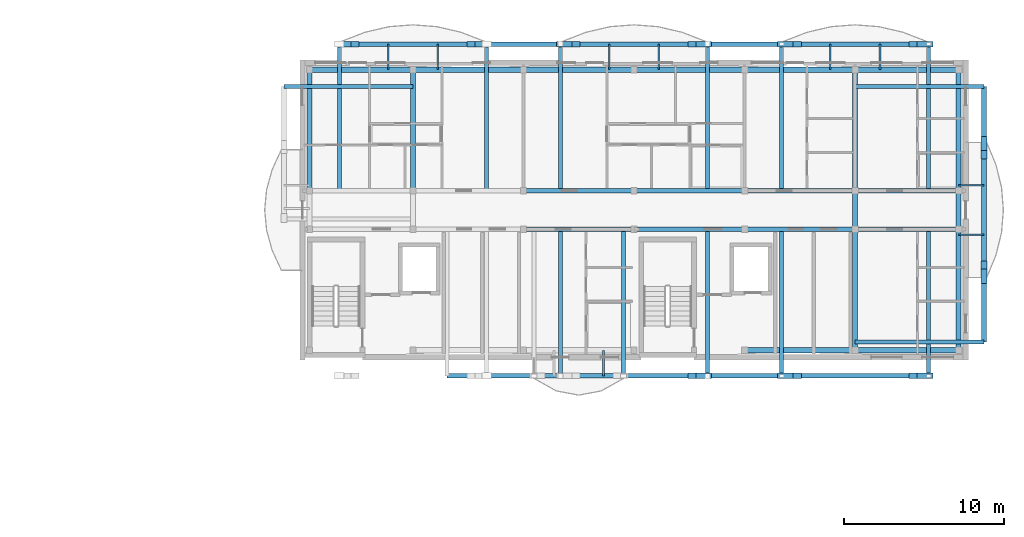
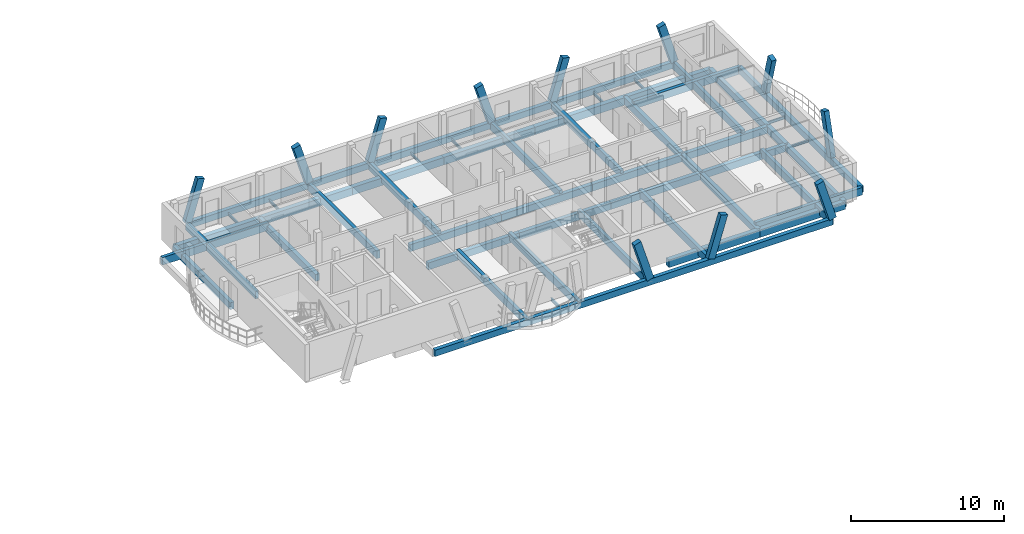
# One storey, part 7 of 41: 50 beams, 11 members.
"""IFC4 building model written with IfcOpenShell, lengths in metres."""

from ifc_helpers import new_model, si_unit, direction, frame, origin, origin_2d, place, context, subcontext, project, spatial, rectangle, i_section, extrude, material, material_profile, profile_set, type_object, element, save


model = new_model("IFC4")

# Units and contexts
model_context = context("Model", 3, precision=1e-05, world=origin(), true_north=direction((0.0, 1.0)))
body_context = subcontext(model_context, "Body", "Model", "MODEL_VIEW")
ifc_project = project(units=[si_unit("LENGTHUNIT", "METRE"), si_unit("AREAUNIT", "SQUARE_METRE"), si_unit("VOLUMEUNIT", "CUBIC_METRE"), si_unit("PLANEANGLEUNIT", "RADIAN"), si_unit("MASSUNIT", "GRAM", prefix="KILO")], contexts=[model_context])

# Site, building, storey
site_placement = place(None, origin())
site = spatial("IfcSite", under=ifc_project, at=site_placement, CompositionType="ELEMENT")
building_placement = place(site_placement, origin())
building = spatial("IfcBuilding", under=site, at=building_placement, Name="Zavelmont Quarter", CompositionType="ELEMENT")
storey_placement = place(building_placement, frame((0.0, 0.0, 27.199951171875)))
storey = spatial("IfcBuildingStorey", under=building, at=storey_placement, Name="L08", CompositionType="ELEMENT", Elevation=27.199951171875)

# Beams
ifc_material_1 = material(Name="Concrete C35/45", Category="concrete")
ifc_material_profile_1 = material_profile(ifc_material_1, rectangle(XDim=0.35009765625, YDim=0.60009765625, at=origin_2d()), Name="RC350X600")
ifc_profile_set_1 = profile_set([ifc_material_profile_1], Name="Concrete C35/45")
beam_type_1 = type_object("IfcBeamType", Name="BM01", PredefinedType="SPANDREL", material=ifc_profile_set_1)
beam_1_placement = place(storey_placement, frame((154.199951171875, 98.0400390625, -0.550048828125), z_axis=(1.0, 0.0, 0.0), x_axis=(0.0, 1.0, 0.0)))
element("IfcBeam", 1, at=beam_1_placement, inside=storey, type_object=beam_type_1, Name="L08 beam BM01 23/P to 24/P", PredefinedType="SPANDREL", context=body_context, shape_type="SweptSolid", body=[
    extrude(rectangle(XDim=0.35009765625, YDim=0.60009765625, at=origin_2d()), origin(), (0.0, 0.0, 1.0), 6.900146484375),
])
for number, where, z_axis, x_axis, name in (
    (2, (161.10009765625, 98.0400390625, -0.550048828125), (1.0, 0.0, 0.0), (0.0, 1.0, 0.0), "L08 beam BM01 24/P to 25/P"),
    (3, (127.0400390625, 115.56005859375, -0.550048828125), (1.0, 0.0, 0.0), (0.0, 1.0, 0.0), "L08 beam BM01 19/S to 20/S"),
):
    element("IfcBeam", number, at=place(storey_placement, frame(where, z_axis=z_axis, x_axis=x_axis)), inside=storey, type_object=beam_type_1, Name=name, PredefinedType="SPANDREL", context=body_context, shape_type="SweptSolid", body=[
        extrude(rectangle(XDim=0.35009765625, YDim=0.60009765625, at=origin_2d()), origin(), (0.0, 0.0, 1.0), 6.4599609375),
    ])
beam_2_placement = place(storey_placement, frame((133.5, 115.56005859375, -0.550048828125), z_axis=(1.0, 0.0, 0.0), x_axis=(0.0, 1.0, 0.0)))
element("IfcBeam", 4, at=beam_2_placement, inside=storey, type_object=beam_type_1, Name="L08 beam BM01 20/S to 21/S", PredefinedType="SPANDREL", context=body_context, shape_type="SweptSolid", body=[
    extrude(rectangle(XDim=0.35009765625, YDim=0.60009765625, at=origin_2d()), origin(), (0.0, 0.0, 1.0), 6.89990234375),
])
beam_3_placement = place(storey_placement, frame((140.39990234375, 115.56005859375, -0.550048828125), z_axis=(1.0, 0.0, 0.0), x_axis=(0.0, 1.0, 0.0)))
element("IfcBeam", 5, at=beam_3_placement, inside=storey, type_object=beam_type_1, Name="L08 beam BM01 21/S to 22/S", PredefinedType="SPANDREL", context=body_context, shape_type="SweptSolid", body=[
    extrude(rectangle(XDim=0.35009765625, YDim=0.60009765625, at=origin_2d()), origin(), (0.0, 0.0, 1.0), 6.900146484375),
])
beam_4_placement = place(storey_placement, frame((147.300048828125, 115.56005859375, -0.550048828125), z_axis=(1.0, 0.0, 0.0), x_axis=(0.0, 1.0, 0.0)))
element("IfcBeam", 6, at=beam_4_placement, inside=storey, type_object=beam_type_1, Name="L08 beam BM01 22/S to 23/S", PredefinedType="SPANDREL", context=body_context, shape_type="SweptSolid", body=[
    extrude(rectangle(XDim=0.35009765625, YDim=0.60009765625, at=origin_2d()), origin(), (0.0, 0.0, 1.0), 6.89990234375),
])
beam_5_placement = place(storey_placement, frame((154.199951171875, 115.56005859375, -0.550048828125), z_axis=(1.0, 0.0, 0.0), x_axis=(0.0, 1.0, 0.0)))
element("IfcBeam", 7, at=beam_5_placement, inside=storey, type_object=beam_type_1, Name="L08 beam BM01 23/S to 24/S", PredefinedType="SPANDREL", context=body_context, shape_type="SweptSolid", body=[
    extrude(rectangle(XDim=0.35009765625, YDim=0.60009765625, at=origin_2d()), origin(), (0.0, 0.0, 1.0), 6.900146484375),
])
beam_6_placement = place(storey_placement, frame((161.10009765625, 115.56005859375, -0.550048828125), z_axis=(1.0, 0.0, 0.0), x_axis=(0.0, 1.0, 0.0)))
element("IfcBeam", 8, at=beam_6_placement, inside=storey, type_object=beam_type_1, Name="L08 beam BM01 24/S to 25/S", PredefinedType="SPANDREL", context=body_context, shape_type="SweptSolid", body=[
    extrude(rectangle(XDim=0.35009765625, YDim=0.60009765625, at=origin_2d()), origin(), (0.0, 0.0, 1.0), 6.4599609375),
])
ifc_material_profile_2 = material_profile(ifc_material_1, rectangle(XDim=0.300048828125, YDim=0.550048828125, at=origin_2d()), Name="RC300X550")
ifc_profile_set_2 = profile_set([ifc_material_profile_2], Name="Concrete C35/45")
beam_type_2 = type_object("IfcBeamType", Name="BM02", PredefinedType="SPANDREL", material=ifc_profile_set_2)
beam_7_placement = place(storey_placement, frame((140.39990234375, 105.60009765625, -0.52490234375), z_axis=(1.0, 0.0, 0.0), x_axis=(0.0, 1.0, 0.0)))
element("IfcBeam", 9, at=beam_7_placement, inside=storey, type_object=beam_type_2, Name="L08 beam BM02 21/Q to 22/Q", PredefinedType="SPANDREL", context=body_context, shape_type="SweptSolid", body=[
    extrude(rectangle(XDim=0.300048828125, YDim=0.550048828125, at=origin_2d()), origin(), (0.0, 0.0, 1.0), 6.900146484375),
])
beam_8_placement = place(storey_placement, frame((147.300048828125, 105.60009765625, -0.52490234375), z_axis=(1.0, 0.0, 0.0), x_axis=(0.0, 1.0, 0.0)))
element("IfcBeam", 10, at=beam_8_placement, inside=storey, type_object=beam_type_2, Name="L08 beam BM02 22/Q to 23/Q", PredefinedType="SPANDREL", context=body_context, shape_type="SweptSolid", body=[
    extrude(rectangle(XDim=0.300048828125, YDim=0.550048828125, at=origin_2d()), origin(), (0.0, 0.0, 1.0), 6.89990234375),
])
beam_9_placement = place(storey_placement, frame((154.199951171875, 105.60009765625, -0.52490234375), z_axis=(1.0, 0.0, 0.0), x_axis=(0.0, 1.0, 0.0)))
element("IfcBeam", 11, at=beam_9_placement, inside=storey, type_object=beam_type_2, Name="L08 beam BM02 23/Q to 24/Q", PredefinedType="SPANDREL", context=body_context, shape_type="SweptSolid", body=[
    extrude(rectangle(XDim=0.300048828125, YDim=0.550048828125, at=origin_2d()), origin(), (0.0, 0.0, 1.0), 6.900146484375),
])
beam_10_placement = place(storey_placement, frame((161.10009765625, 105.60009765625, -0.52490234375), z_axis=(1.0, 0.0, 0.0), x_axis=(0.0, 1.0, 0.0)))
element("IfcBeam", 12, at=beam_10_placement, inside=storey, type_object=beam_type_2, Name="L08 beam BM02 24/Q to 25/Q", PredefinedType="SPANDREL", context=body_context, shape_type="SweptSolid", body=[
    extrude(rectangle(XDim=0.300048828125, YDim=0.550048828125, at=origin_2d()), origin(), (0.0, 0.0, 1.0), 6.4599609375),
])
beam_11_placement = place(storey_placement, frame((140.39990234375, 108.0, -0.52490234375), z_axis=(1.0, 0.0, 0.0), x_axis=(0.0, 1.0, 0.0)))
element("IfcBeam", 13, at=beam_11_placement, inside=storey, type_object=beam_type_2, Name="L08 beam BM02 21/R to 22/R", PredefinedType="SPANDREL", context=body_context, shape_type="SweptSolid", body=[
    extrude(rectangle(XDim=0.300048828125, YDim=0.550048828125, at=origin_2d()), origin(), (0.0, 0.0, 1.0), 6.900146484375),
])
beam_12_placement = place(storey_placement, frame((147.300048828125, 108.0, -0.52490234375), z_axis=(1.0, 0.0, 0.0), x_axis=(0.0, 1.0, 0.0)))
element("IfcBeam", 14, at=beam_12_placement, inside=storey, type_object=beam_type_2, Name="L08 beam BM02 22/R to 23/R", PredefinedType="SPANDREL", context=body_context, shape_type="SweptSolid", body=[
    extrude(rectangle(XDim=0.300048828125, YDim=0.550048828125, at=origin_2d()), origin(), (0.0, 0.0, 1.0), 6.89990234375),
])
beam_13_placement = place(storey_placement, frame((154.199951171875, 108.0, -0.52490234375), z_axis=(1.0, 0.0, 0.0), x_axis=(0.0, 1.0, 0.0)))
element("IfcBeam", 15, at=beam_13_placement, inside=storey, type_object=beam_type_2, Name="L08 beam BM02 23/R to 24/R", PredefinedType="SPANDREL", context=body_context, shape_type="SweptSolid", body=[
    extrude(rectangle(XDim=0.300048828125, YDim=0.550048828125, at=origin_2d()), origin(), (0.0, 0.0, 1.0), 6.900146484375),
])
beam_14_placement = place(storey_placement, frame((161.10009765625, 108.0, -0.52490234375), z_axis=(1.0, 0.0, 0.0), x_axis=(0.0, 1.0, 0.0)))
element("IfcBeam", 16, at=beam_14_placement, inside=storey, type_object=beam_type_2, Name="L08 beam BM02 24/R to 25/R", PredefinedType="SPANDREL", context=body_context, shape_type="SweptSolid", body=[
    extrude(rectangle(XDim=0.300048828125, YDim=0.550048828125, at=origin_2d()), origin(), (0.0, 0.0, 1.0), 6.4599609375),
])
for number, where, z_axis, x_axis, name in (
    (17, (127.0400390625, 108.0, -0.52490234375), (0.0, 1.0, 0.0), (-1.0, 0.0, 0.0), "L08 beam BM02 19/R to 19/S"),
    (18, (133.5, 108.0, -0.52490234375), (0.0, 1.0, 0.0), (-1.0, 0.0, 0.0), "L08 beam BM02 20/R to 20/S"),
    (19, (161.10009765625, 98.0400390625, -0.52490234375), (0.0, 1.0, 0.0), (-1.0, 0.0, 0.0), "L08 beam BM02 24/P to 24/Q"),
):
    element("IfcBeam", number, at=place(storey_placement, frame(where, z_axis=z_axis, x_axis=x_axis)), inside=storey, type_object=beam_type_2, Name=name, PredefinedType="SPANDREL", context=body_context, shape_type="SweptSolid", body=[
        extrude(rectangle(XDim=0.300048828125, YDim=0.550048828125, at=origin_2d()), origin(), (0.0, 0.0, 1.0), 7.56005859375),
    ])
beam_15_placement = place(storey_placement, frame((161.10009765625, 105.60009765625, -0.52490234375), z_axis=(0.0, 1.0, 0.0), x_axis=(-1.0, 0.0, 0.0)))
element("IfcBeam", 20, at=beam_15_placement, inside=storey, type_object=beam_type_2, Name="L08 beam BM02 24/Q to 24/R", PredefinedType="SPANDREL", context=body_context, shape_type="SweptSolid", body=[
    extrude(rectangle(XDim=0.300048828125, YDim=0.550048828125, at=origin_2d()), origin(), (0.0, 0.0, 1.0), 2.39990234375),
])
for number, where, z_axis, x_axis, name in (
    (21, (161.10009765625, 108.0, -0.52490234375), (0.0, 1.0, 0.0), (-1.0, 0.0, 0.0), "L08 beam BM02 24/R to 24/S"),
    (22, (167.56005859375, 98.0400390625, -0.52490234375), (0.0, 1.0, 0.0), (-1.0, 0.0, 0.0), "L08 beam BM02 25/P to 25/Q"),
):
    element("IfcBeam", number, at=place(storey_placement, frame(where, z_axis=z_axis, x_axis=x_axis)), inside=storey, type_object=beam_type_2, Name=name, PredefinedType="SPANDREL", context=body_context, shape_type="SweptSolid", body=[
        extrude(rectangle(XDim=0.300048828125, YDim=0.550048828125, at=origin_2d()), origin(), (0.0, 0.0, 1.0), 7.56005859375),
    ])
beam_16_placement = place(storey_placement, frame((167.56005859375, 105.60009765625, -0.52490234375), z_axis=(0.0, 1.0, 0.0), x_axis=(-1.0, 0.0, 0.0)))
element("IfcBeam", 23, at=beam_16_placement, inside=storey, type_object=beam_type_2, Name="L08 beam BM02 25/Q to 25/R", PredefinedType="SPANDREL", context=body_context, shape_type="SweptSolid", body=[
    extrude(rectangle(XDim=0.300048828125, YDim=0.550048828125, at=origin_2d()), origin(), (0.0, 0.0, 1.0), 2.39990234375),
])
beam_17_placement = place(storey_placement, frame((167.56005859375, 108.0, -0.52490234375), z_axis=(0.0, 1.0, 0.0), x_axis=(-1.0, 0.0, 0.0)))
element("IfcBeam", 24, at=beam_17_placement, inside=storey, type_object=beam_type_2, Name="L08 beam BM02 25/R to 25/S", PredefinedType="SPANDREL", context=body_context, shape_type="SweptSolid", body=[
    extrude(rectangle(XDim=0.300048828125, YDim=0.550048828125, at=origin_2d()), origin(), (0.0, 0.0, 1.0), 7.56005859375),
])
ifc_material_profile_3 = material_profile(ifc_material_1, rectangle(XDim=0.300048828125, YDim=0.5, at=origin_2d()), Name="RC300X500")
ifc_profile_set_3 = profile_set([ifc_material_profile_3], Name="Concrete C35/45")
beam_type_3 = type_object("IfcBeamType", Name="BM03", PredefinedType="BEAM", material=ifc_profile_set_3)
beam_18_placement = place(storey_placement, frame((128.906982421875, 117.14990234375, -0.25), z_axis=(1.0, 0.0, 0.0), x_axis=(0.0, 1.0, 0.0)))
element("IfcBeam", 25, at=beam_18_placement, inside=storey, type_object=beam_type_3, Name="L08 beam BM03 19/S to 25/S", PredefinedType="BEAM", context=body_context, shape_type="SweptSolid", body=[
    extrude(rectangle(XDim=0.300048828125, YDim=0.5, at=origin_2d()), origin(), (0.0, 0.0, 1.0), 36.7861328125),
])
beam_19_placement = place(storey_placement, frame((135.625, 96.449951171875, -0.25), z_axis=(1.0, 0.0, 0.0), x_axis=(0.0, 1.0, 0.0)))
element("IfcBeam", 26, at=beam_19_placement, inside=storey, type_object=beam_type_3, Name="L08 beam BM03 20/P to 25/P", PredefinedType="BEAM", context=body_context, shape_type="SweptSolid", body=[
    extrude(rectangle(XDim=0.300048828125, YDim=0.5, at=origin_2d()), origin(), (0.0, 0.0, 1.0), 30.068115234375),
])
beam_20_placement = place(storey_placement, frame((169.14990234375, 98.550048828125, -0.25), z_axis=(0.0, 1.0, 0.0), x_axis=(-1.0, 0.0, 0.0)))
element("IfcBeam", 27, at=beam_20_placement, inside=storey, type_object=beam_type_3, Name="L08 beam BM03 25/P to 25/S", PredefinedType="BEAM", context=body_context, shape_type="SweptSolid", body=[
    extrude(rectangle(XDim=0.300048828125, YDim=0.5, at=origin_2d()), origin(), (0.0, 0.0, 1.0), 15.949951171875),
])
ifc_material_2 = material(Name="Steel S355", Category="steel")
ifc_material_profile_4 = material_profile(ifc_material_2, i_section(OverallWidth=0.110107421875, OverallDepth=0.219970703125, WebThickness=0.005859375, FlangeThickness=0.00927734375, at=origin_2d()), Name="IPE 220")
ifc_profile_set_4 = profile_set([ifc_material_profile_4], Name="Steel S355")
beam_type_4 = type_object("IfcBeamType", Name="BM15", PredefinedType="JOIST", material=ifc_profile_set_4)
for number, where, z_axis, x_axis, name in (
    (28, (131.949951171875, 115.56005859375, -0.362060546875), (0.0, 1.0, 0.0), (-1.0, 0.0, 0.0), "L08 beam BM15 20/S to 20/S"),
    (29, (135.050048828125, 115.56005859375, -0.362060546875), (0.0, 1.0, 0.0), (-1.0, 0.0, 0.0), "L08 beam BM15 20/S to 20/S"),
    (30, (145.75, 115.56005859375, -0.362060546875), (0.0, 1.0, 0.0), (-1.0, 0.0, 0.0), "L08 beam BM15 22/S to 22/S"),
    (31, (148.85009765625, 115.56005859375, -0.362060546875), (0.0, 1.0, 0.0), (-1.0, 0.0, 0.0), "L08 beam BM15 22/S to 22/S"),
    (32, (159.550048828125, 115.56005859375, -0.366943359375), (0.0, 1.0, 0.0), (-1.0, 0.0, 0.0), "L08 beam BM15 24/S to 24/S"),
    (33, (162.64990234375, 115.56005859375, -0.366943359375), (0.0, 1.0, 0.0), (-1.0, 0.0, 0.0), "L08 beam BM15 24/S to 24/S"),
    (34, (167.56005859375, 105.25, -0.362060546875), (1.0, 0.0, 0.0), (0.0, 1.0, 0.0), "L08 beam BM15 25/Q to 25/Q"),
    (35, (167.56005859375, 108.35009765625, -0.362060546875), (1.0, 0.0, 0.0), (0.0, 1.0, 0.0), "L08 beam BM15 25/R to 25/R"),
):
    element("IfcBeam", number, at=place(storey_placement, frame(where, z_axis=z_axis, x_axis=x_axis)), inside=storey, type_object=beam_type_4, Name=name, PredefinedType="JOIST", context=body_context, shape_type="SweptSolid", body=[
        extrude(i_section(OverallWidth=0.110107421875, OverallDepth=0.219970703125, WebThickness=0.005859375, FlangeThickness=0.00927734375, at=origin_2d()), origin(), (0.0, 0.0, 1.0), 1.58984375),
    ])
beam_21_placement = place(storey_placement, frame((145.39990234375, 98.0400390625, -0.366943359375), z_axis=(0.0, -1.0, 0.0), x_axis=(1.0, 0.0, 0.0)))
element("IfcBeam", 36, at=beam_21_placement, inside=storey, type_object=beam_type_4, Name="L08 beam BM15 22/P to 22/P", PredefinedType="JOIST", context=body_context, shape_type="SweptSolid", body=[
    extrude(i_section(OverallWidth=0.110107421875, OverallDepth=0.219970703125, WebThickness=0.005859375, FlangeThickness=0.00927734375, at=origin_2d()), origin(), (0.0, 0.0, 1.0), 1.590087890625),
])
ifc_material_3 = material(Name="Concrete C40/50", Category="concrete")
ifc_material_profile_5 = material_profile(ifc_material_3, rectangle(XDim=0.25, YDim=0.60009765625, at=origin_2d()), Name="RC250X600")
ifc_profile_set_5 = profile_set([ifc_material_profile_5], Name="Concrete C40/50")
beam_type_5 = type_object("IfcBeamType", Name="BM18", PredefinedType="BEAM", material=ifc_profile_set_5)
for number, where, z_axis, x_axis, name in (
    (37, (128.907470703125, 108.0, -0.300048828125), (0.0, 1.0, 0.0), (-1.0, 0.0, 0.0), "L08 beam BM18 19/R to 19/S"),
    (38, (138.092529296875, 108.0, -0.300048828125), (0.0, 1.0, 0.0), (-1.0, 0.0, 0.0), "L08 beam BM18 21/R to 21/S"),
    (39, (142.70751953125, 108.0, -0.300048828125), (0.0, 1.0, 0.0), (-1.0, 0.0, 0.0), "L08 beam BM18 21/R to 21/S"),
    (40, (151.892578125, 108.0, -0.300048828125), (0.0, 1.0, 0.0), (-1.0, 0.0, 0.0), "L08 beam BM18 23/R to 23/S"),
    (41, (156.50732421875, 108.0, -0.300048828125), (0.0, 1.0, 0.0), (-1.0, 0.0, 0.0), "L08 beam BM18 23/R to 23/S"),
    (42, (165.692626953125, 108.0, -0.300048828125), (0.0, 1.0, 0.0), (-1.0, 0.0, 0.0), "L08 beam BM18 25/R to 25/S"),
):
    element("IfcBeam", number, at=place(storey_placement, frame(where, z_axis=z_axis, x_axis=x_axis)), inside=storey, type_object=beam_type_5, Name=name, PredefinedType="BEAM", context=body_context, shape_type="SweptSolid", body=[
        extrude(rectangle(XDim=0.25, YDim=0.60009765625, at=origin_2d()), origin(), (0.0, 0.0, 1.0), 9.14990234375),
    ])
for number, where, z_axis, x_axis, name in (
    (43, (142.70751953125, 105.60009765625, -0.300048828125), (0.0, -1.0, 0.0), (1.0, 0.0, 0.0), "L08 beam BM18 21/Q to 21/P"),
    (44, (151.892578125, 105.60009765625, -0.300048828125), (0.0, -1.0, 0.0), (1.0, 0.0, 0.0), "L08 beam BM18 23/Q to 23/P"),
    (45, (156.50732421875, 105.60009765625, -0.300048828125), (0.0, -1.0, 0.0), (1.0, 0.0, 0.0), "L08 beam BM18 23/Q to 23/P"),
    (46, (165.692626953125, 105.60009765625, -0.300048828125), (0.0, -1.0, 0.0), (1.0, 0.0, 0.0), "L08 beam BM18 25/Q to 25/P"),
    (47, (146.64990234375, 105.60009765625, -0.300048828125), (0.0, -1.0, 0.0), (1.0, 0.0, 0.0), "L08 beam BM18 22/Q to 22/P"),
):
    element("IfcBeam", number, at=place(storey_placement, frame(where, z_axis=z_axis, x_axis=x_axis)), inside=storey, type_object=beam_type_5, Name=name, PredefinedType="BEAM", context=body_context, shape_type="SweptSolid", body=[
        extrude(rectangle(XDim=0.25, YDim=0.60009765625, at=origin_2d()), origin(), (0.0, 0.0, 1.0), 9.150146484375),
    ])
for number, where, z_axis, x_axis, name in (
    (48, (161.10009765625, 98.550048828125, -0.300048828125), (1.0, 0.0, 0.0), (0.0, 1.0, 0.0), "L08 beam BM18 24/P to 25/P"),
    (49, (161.10009765625, 114.5, -0.300048828125), (1.0, 0.0, 0.0), (0.0, 1.0, 0.0), "L08 beam BM18 24/S to 25/S"),
):
    element("IfcBeam", number, at=place(storey_placement, frame(where, z_axis=z_axis, x_axis=x_axis)), inside=storey, type_object=beam_type_5, Name=name, PredefinedType="BEAM", context=body_context, shape_type="SweptSolid", body=[
        extrude(rectangle(XDim=0.25, YDim=0.60009765625, at=origin_2d()), origin(), (0.0, 0.0, 1.0), 8.0498046875),
    ])
beam_22_placement = place(storey_placement, frame((133.5, 114.5, -0.300048828125), z_axis=(-1.0, 0.0, 0.0), x_axis=(0.0, -1.0, 0.0)))
element("IfcBeam", 50, at=beam_22_placement, inside=storey, type_object=beam_type_5, Name="L08 beam BM18 20/S to 19/S", PredefinedType="BEAM", context=body_context, shape_type="SweptSolid", body=[
    extrude(rectangle(XDim=0.25, YDim=0.60009765625, at=origin_2d()), origin(), (0.0, 0.0, 1.0), 8.050048828125),
])

# Members
ifc_material_4 = material(Name="White architectural precast concrete C40/50", Category="concrete")
ifc_material_profile_6 = material_profile(ifc_material_4, rectangle(XDim=0.360107421875, YDim=0.5400390625, at=origin_2d()), Name="PCR280X420")
ifc_profile_set_6 = profile_set([ifc_material_profile_6], Name="White architectural precast concrete C40/50")
member_type = type_object("IfcMemberType", Name="VR02M", PredefinedType="CHORD", material=ifc_profile_set_6)
for number, where, z_axis, x_axis, name in (
    (51, (128.907470703125, 117.14990234375, 0.0), (0.291623318033, 0.0, 0.956533240604), (0.0, 1.0, 0.0), "L08 member VR02M 19/S to 19/S"),
    (52, (138.092529296875, 117.14990234375, 0.0), (-0.291623318033, 0.0, 0.956533240604), (0.0, -1.0, 0.0), "L08 member VR02M 21/S to 21/S"),
    (53, (142.70751953125, 117.14990234375, 0.0), (0.291623318033, 0.0, 0.956533240604), (0.0, 1.0, 0.0), "L08 member VR02M 21/S to 21/S"),
    (54, (151.892578125, 117.14990234375, 0.0), (-0.291623318033, 0.0, 0.956533240604), (0.0, -1.0, 0.0), "L08 member VR02M 23/S to 23/S"),
    (55, (156.50732421875, 117.14990234375, 0.0), (0.291690088288, 0.0, 0.956512881458), (0.0, 1.0, 0.0), "L08 member VR02M 23/S to 23/S"),
    (56, (165.692626953125, 117.14990234375, 0.0), (-0.291690088288, 0.0, 0.956512881458), (0.0, -1.0, 0.0), "L08 member VR02M 25/S to 25/S"),
    (57, (151.892578125, 96.449951171875, 0.0), (-0.291623318033, 0.0, 0.956533240604), (0.0, -1.0, 0.0), "L08 member VR02M 23/P to 23/P"),
    (58, (156.50732421875, 96.449951171875, 0.0), (0.291690088288, 0.0, 0.956512881458), (0.0, 1.0, 0.0), "L08 member VR02M 23/P to 23/P"),
    (59, (165.692626953125, 96.449951171875, 0.0), (-0.291690088288, 0.0, 0.956512881458), (0.0, -1.0, 0.0), "L08 member VR02M 25/P to 25/P"),
):
    element("IfcMember", number, at=place(storey_placement, frame(where, z_axis=z_axis, x_axis=x_axis)), inside=storey, type_object=member_type, Name=name, PredefinedType="CHORD", context=body_context, shape_type="SweptSolid", body=[
        extrude(rectangle(XDim=0.360107421875, YDim=0.5400390625, at=origin_2d()), origin(), (0.0, 0.0, 1.0), 3.345458984375),
    ])
member_1_placement = place(storey_placement, frame((169.14990234375, 102.468017578125, 0.0), z_axis=(0.0, 0.269291959885, 0.963058586142), x_axis=(-1.0, 0.0, 0.0)))
element("IfcMember", 60, at=member_1_placement, inside=storey, type_object=member_type, Name="L08 member VR02M 25/Q to 25/Q", PredefinedType="CHORD", context=body_context, shape_type="SweptSolid", body=[
    extrude(rectangle(XDim=0.360107421875, YDim=0.5400390625, at=origin_2d()), origin(), (0.0, 0.0, 1.0), 3.32275390625),
])
member_2_placement = place(storey_placement, frame((169.14990234375, 111.1318359375, 0.0), z_axis=(0.0, -0.269223809594, 0.963077639834), x_axis=(1.0, 0.0, 0.0)))
element("IfcMember", 61, at=member_2_placement, inside=storey, type_object=member_type, Name="L08 member VR02M 25/R to 25/R", PredefinedType="CHORD", context=body_context, shape_type="SweptSolid", body=[
    extrude(rectangle(XDim=0.360107421875, YDim=0.5400390625, at=origin_2d()), origin(), (0.0, 0.0, 1.0), 3.322509765625),
])

save(model, "model.ifc")
